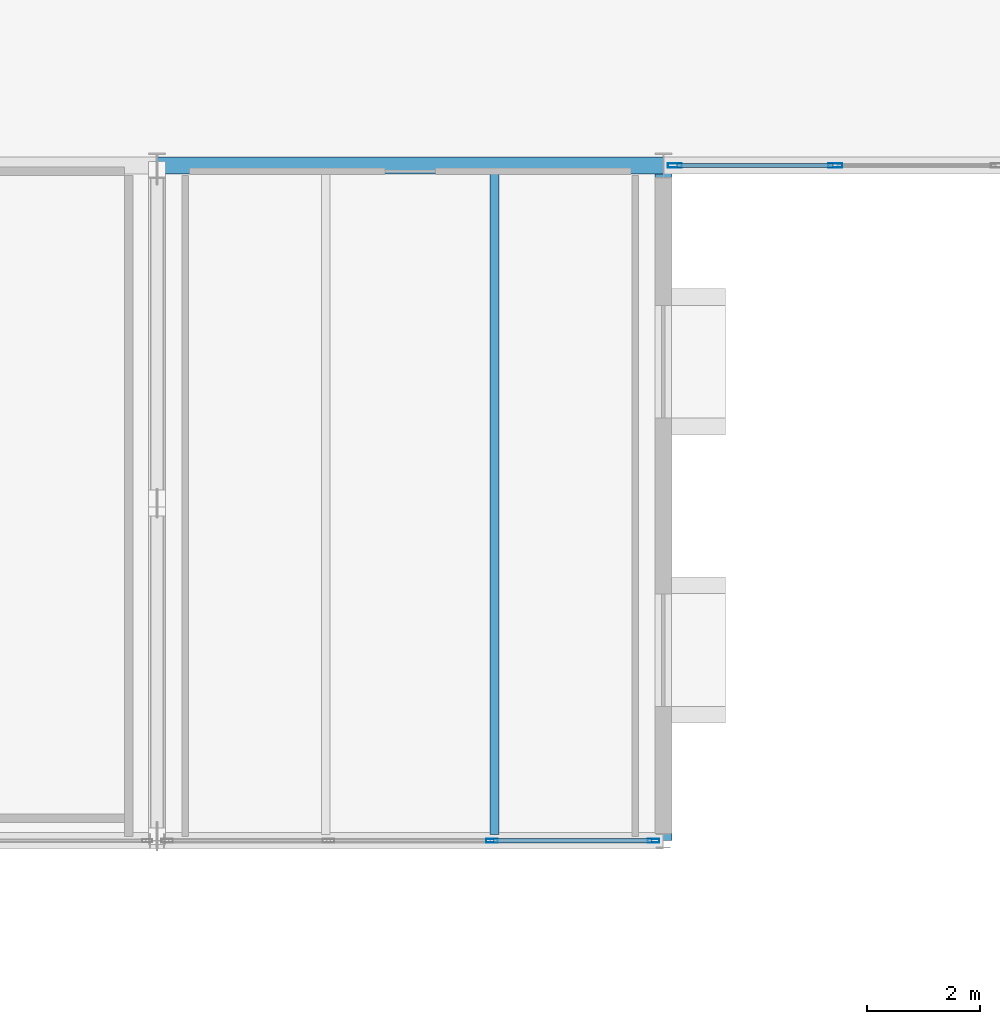
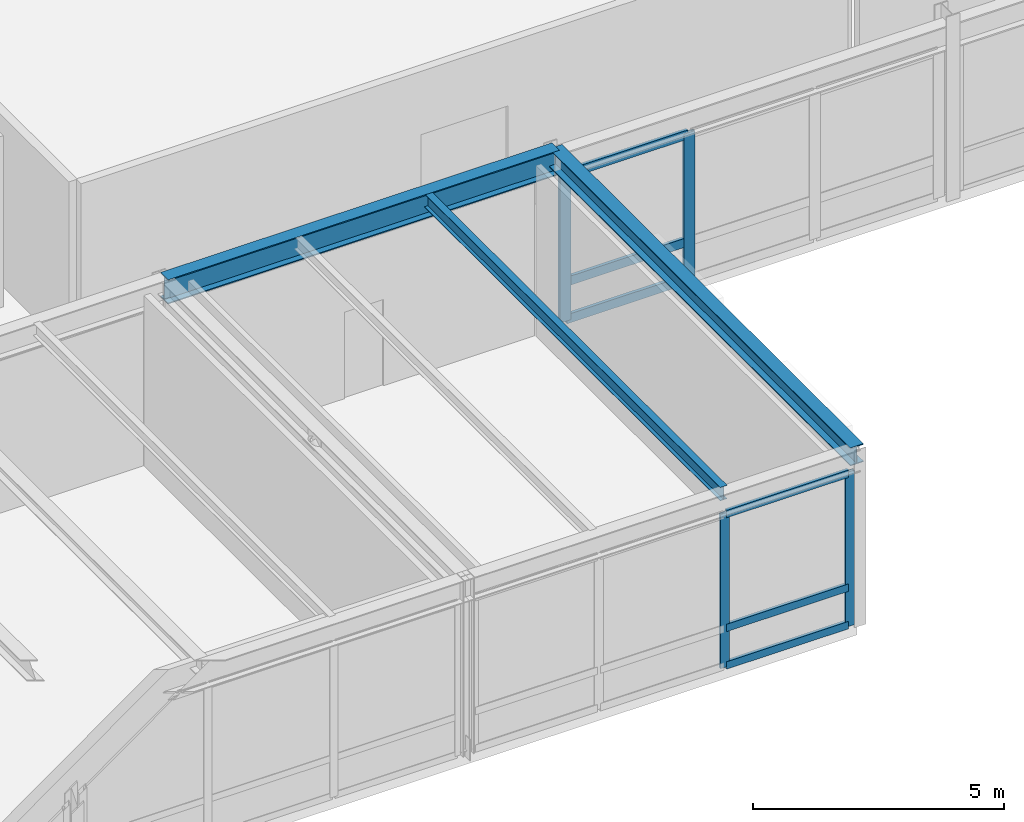
# One storey, part 28 of 67: 10 members, 3 beams, 2 elements without a shape of their own.
"""IFC4 building model written with IfcOpenShell, lengths in metres."""

import ifcopenshell
import ifcopenshell.guid

model = None  # the IFC model being written
_history = None  # IfcOwnerHistory: only IFC2X3 demands one
_inside = {}  # id of a spatial element -> (the spatial element, [elements in it])
_under = {}  # id of a project, library or spatial element -> (it, [spatial elements below it])
_declared = {}  # id of a project -> (the project, [libraries it declares])
_typed = {}  # id of a type object -> (the type object, [elements of that type])
_made_of = {}  # id of a material, layer set ... -> (it, [elements and type objects made of it])


def new_model(schema):
    """Start an empty IFC model of exactly this schema.

    Asked for "IFC4X3", IfcOpenShell would pick the latest addendum, in which some entities
    have other attributes; the version numbers below select the first issue.
    IFC2X3 requires an IfcOwnerHistory on every rooted entity: one is made here for all.
    """
    global model, _history
    if schema == "IFC4X3":
        model = ifcopenshell.file(schema_version=(4, 3, 0, 0))
    else:
        model = ifcopenshell.file(schema=schema)
    _inside.clear()
    _under.clear()
    _declared.clear()
    _typed.clear()
    _made_of.clear()
    _history = None
    if model.schema == "IFC2X3":
        org = make("IfcOrganization", Name="unknown")
        user = make(
            "IfcPersonAndOrganization",
            ThePerson=make("IfcPerson", FamilyName="unknown"),
            TheOrganization=org,
        )
        app = make(
            "IfcApplication",
            ApplicationDeveloper=org,
            Version="unknown",
            ApplicationFullName="unknown",
            ApplicationIdentifier="unknown",
        )
        _history = make(
            "IfcOwnerHistory",
            OwningUser=user,
            OwningApplication=app,
            ChangeAction="ADDED",
            CreationDate=0,
        )
    return model


def make(cls, **values):
    """One entity of the class cls with the attributes given. An attribute that is None is left unset."""
    return model.create_entity(
        cls, **{name: value for name, value in values.items() if value is not None}
    )


def rooted(cls, **values):
    """An entity with a GlobalId (a new one), such as an element, a storey or a relation."""
    return make(cls, GlobalId=ifcopenshell.guid.new(), OwnerHistory=_history, **values)


def si_unit(unit_type, name, prefix=None):
    """IfcSIUnit, for example si_unit("LENGTHUNIT", "METRE", prefix="MILLI")."""
    return make("IfcSIUnit", UnitType=unit_type, Prefix=prefix, Name=name)


def assignment(units):
    """IfcUnitAssignment: the units of a project."""
    return None if units is None else make("IfcUnitAssignment", Units=units)


def point(xyz):
    """IfcCartesianPoint."""
    return None if xyz is None else make("IfcCartesianPoint", Coordinates=xyz)


def direction(xyz):
    """IfcDirection."""
    return None if xyz is None else make("IfcDirection", DirectionRatios=xyz)


def frame(location, z_axis=None, x_axis=None):
    """IfcAxis2Placement3D, a coordinate frame: its origin and axes. An axis left out is left unset."""
    return make(
        "IfcAxis2Placement3D",
        Location=point(location),
        Axis=direction(z_axis),
        RefDirection=direction(x_axis),
    )


def frame_2d(location, x_axis=None):
    """IfcAxis2Placement2D, a coordinate frame in the plane: its origin and x axis."""
    return make(
        "IfcAxis2Placement2D", Location=point(location), RefDirection=direction(x_axis)
    )


def origin():
    """The frame at (0, 0, 0) with its axes left unset."""
    return frame((0.0, 0.0, 0.0))


def origin_2d():
    """The frame at (0, 0) in the plane with its x axis left unset."""
    return frame_2d((0.0, 0.0))


def place(relative_to, where):
    """IfcLocalPlacement: puts the frame where relative to a parent placement (None: the world)."""
    return make(
        "IfcLocalPlacement", PlacementRelTo=relative_to, RelativePlacement=where
    )


def context(
    kind, dimensions, precision=None, world=None, true_north=None, identifier=None
):
    """IfcGeometricRepresentationContext, for example the 3D "Model" context."""
    return make(
        "IfcGeometricRepresentationContext",
        ContextIdentifier=identifier,
        ContextType=kind,
        CoordinateSpaceDimension=dimensions,
        Precision=precision,
        WorldCoordinateSystem=world,
        TrueNorth=true_north,
    )


def subcontext(parent, identifier, kind, view, scale=None):
    """IfcGeometricRepresentationSubContext, for example "Body" below "Model"."""
    return make(
        "IfcGeometricRepresentationSubContext",
        ContextIdentifier=identifier,
        ContextType=kind,
        ParentContext=parent,
        TargetScale=scale,
        TargetView=view,
    )


def project(units=None, contexts=None):
    """IfcProject with its units and contexts."""
    return rooted(
        "IfcProject",
        Name="project",
        RepresentationContexts=contexts,
        UnitsInContext=assignment(units),
    )


def spatial(cls, under=None, at=None, **own):
    """A site, building, storey or space (cls), placed at a placement, below another one or the project."""
    s = rooted(cls, ObjectPlacement=at, **own)
    if under is not None:
        _under.setdefault(under.id(), (under, []))[1].append(s)
    return s


def profile(cls, at=None, kind="AREA", **sizes):
    """A parametric profile (cls). Its sizes go by their IFC names, for example OverallWidth=200.0."""
    return make(cls, ProfileType=kind, Position=at, **sizes)


def hollow_rectangle(**sizes):
    """IfcRectangleHollowProfileDef."""
    return profile("IfcRectangleHollowProfileDef", **sizes)


def i_section(**sizes):
    """IfcIShapeProfileDef."""
    return profile("IfcIShapeProfileDef", **sizes)


def extrude(swept, where, along, depth):
    """IfcExtrudedAreaSolid: the profile swept, set in the frame where, extruded along a direction by depth."""
    return make(
        "IfcExtrudedAreaSolid",
        SweptArea=swept,
        Position=where,
        ExtrudedDirection=direction(along),
        Depth=depth,
    )


def shape(context_of_items, identifier, shape_type, items):
    """IfcShapeRepresentation: the items that make up one representation, for example the "Body"."""
    return make(
        "IfcShapeRepresentation",
        ContextOfItems=context_of_items,
        RepresentationIdentifier=identifier,
        RepresentationType=shape_type,
        Items=items,
    )


def material(Name=None, Category=None):
    """IfcMaterial."""
    return make("IfcMaterial", Name=Name, Category=Category)


def layer(
    of_material, thickness, ventilated=None, Name=None, Category=None, Priority=None
):
    """IfcMaterialLayer: one layer of a wall or slab, of a material (None: an air gap)."""
    return make(
        "IfcMaterialLayer",
        Material=of_material,
        LayerThickness=thickness,
        IsVentilated=ventilated,
        Name=Name,
        Category=Category,
        Priority=Priority,
    )


def layer_set(layers, Name=None):
    """IfcMaterialLayerSet."""
    return make("IfcMaterialLayerSet", MaterialLayers=layers, LayerSetName=Name)


def material_profile(
    of_material, cross_section, Name=None, Category=None, Priority=None
):
    """IfcMaterialProfile: a cross section and its material."""
    return make(
        "IfcMaterialProfile",
        Name=Name,
        Material=of_material,
        Profile=cross_section,
        Priority=Priority,
        Category=Category,
    )


def profile_set(profiles, Name=None, composite=None):
    """IfcMaterialProfileSet."""
    return make(
        "IfcMaterialProfileSet",
        Name=Name,
        MaterialProfiles=profiles,
        CompositeProfile=composite,
    )


def made_of(thing, what):
    """Note that an element or type object is made of a material, layer set ...; save() writes the relation."""
    if what is not None:
        _made_of.setdefault(what.id(), (what, []))[1].append(thing)
    return thing


def type_object(cls, material=None, **own):
    """A type object (cls), such as IfcWallType, which elements share."""
    return made_of(rooted(cls, **own), material)


def element(
    cls,
    number,
    at=None,
    inside=None,
    cuts=None,
    type_object=None,
    material=None,
    context=None,
    identifier="Body",
    shape_type=None,
    held_by="IfcProductDefinitionShape",
    body=None,
    shapes=None,
    **own,
):
    """One element of the class cls, such as IfcWall. Its Tag is "e" and its number.

    at: its placement. inside: the storey or other place that contains it. cuts: it is an
    opening in that element (IfcRelVoidsElement). A single representation is given by context,
    identifier, shape_type and body (its items); several are given by shapes. held_by: the class
    of the entity that holds the representations. save() writes the other relations.
    """
    e = rooted(cls, Tag="e%d" % number, ObjectPlacement=at, **own)
    if body is not None:
        shapes = [shape(context, identifier, shape_type, body)]
    if shapes is not None:
        e.Representation = make(held_by, Representations=shapes)
    if inside is not None:
        _inside.setdefault(inside.id(), (inside, []))[1].append(e)
    if cuts is not None:
        rooted(
            "IfcRelVoidsElement", RelatingBuildingElement=cuts, RelatedOpeningElement=e
        )
    if type_object is not None:
        _typed.setdefault(type_object.id(), (type_object, []))[1].append(e)
    return made_of(e, material)


def aggregate(whole, parts):
    """IfcRelAggregates: a whole, such as a stair, and the parts it consists of."""
    return rooted("IfcRelAggregates", RelatingObject=whole, RelatedObjects=parts)


def save(model, path):
    """Write the relations noted so far, then the file.

    IfcRelAggregates (storeys below a building ...), IfcRelContainedInSpatialStructure (elements
    in a storey), IfcRelDefinesByType, IfcRelAssociatesMaterial and IfcRelDeclares: one each for
    every whole, place, type object, material and project.
    """
    for whole, parts in _under.values():
        aggregate(whole, parts)
    for where, things in _inside.values():
        rooted(
            "IfcRelContainedInSpatialStructure",
            RelatedElements=things,
            RelatingStructure=where,
        )
    for kind, things in _typed.values():
        rooted("IfcRelDefinesByType", RelatedObjects=things, RelatingType=kind)
    for what, things in _made_of.values():
        rooted("IfcRelAssociatesMaterial", RelatedObjects=things, RelatingMaterial=what)
    for by, libraries in _declared.values():
        rooted("IfcRelDeclares", RelatingContext=by, RelatedDefinitions=libraries)
    model.write(path)


model = new_model("IFC4")

# Units and contexts
model_context = context("Model", 3, precision=1e-05, world=origin(), true_north=direction((0.0, 1.0)))
body_context = subcontext(model_context, "Body", "Model", "MODEL_VIEW")
ifc_project = project(units=[si_unit("LENGTHUNIT", "METRE"), si_unit("AREAUNIT", "SQUARE_METRE"), si_unit("VOLUMEUNIT", "CUBIC_METRE"), si_unit("PLANEANGLEUNIT", "RADIAN"), si_unit("MASSUNIT", "GRAM", prefix="KILO")], contexts=[model_context])

# Site, building, storey
site_placement = place(None, origin())
site = spatial("IfcSite", under=ifc_project, at=site_placement, CompositionType="ELEMENT")
building_placement = place(site_placement, origin())
building = spatial("IfcBuilding", under=site, at=building_placement, Name="Montelvaro Courts of Justice", CompositionType="ELEMENT")
storey_placement = place(building_placement, frame((0.0, 0.0, 18.89990234375)))
storey = spatial("IfcBuildingStorey", under=building, at=storey_placement, Name="L04", CompositionType="ELEMENT", Elevation=18.89990234375)

# Beams
ifc_material_1 = material(Name="Steel S355", Category="steel")
ifc_material_profile_1 = material_profile(ifc_material_1, i_section(OverallWidth=0.300048828125, OverallDepth=0.43994140625, WebThickness=0.011474609375, FlangeThickness=0.02099609375, at=origin_2d()), Name="HEA 450")
ifc_profile_set_1 = profile_set([ifc_material_profile_1], Name="Steel S355")
beam_type_1 = type_object("IfcBeamType", Name="Beam_HEA450", PredefinedType="USERDEFINED", material=ifc_profile_set_1)
beam_1_placement = place(storey_placement, frame((135.0, 66.0, 4.080078125), z_axis=(0.0, 1.0, 0.0), x_axis=(-1.0, 0.0, 0.0)))
element("IfcBeam", 1, at=beam_1_placement, inside=storey, type_object=beam_type_1, Name="Beam B-18 L04", ObjectType="GIRDER", PredefinedType="USERDEFINED", context=body_context, shape_type="SweptSolid", body=[
    extrude(i_section(OverallWidth=0.300048828125, OverallDepth=0.43994140625, WebThickness=0.011474609375, FlangeThickness=0.02099609375, at=origin_2d()), origin(), (0.0, 0.0, 1.0), 12.0),
])
ifc_material_profile_2 = material_profile(ifc_material_1, i_section(OverallWidth=0.300048828125, OverallDepth=0.590087890625, WebThickness=0.012939453125, FlangeThickness=0.02490234375, at=origin_2d()), Name="HEA 600")
ifc_profile_set_2 = profile_set([ifc_material_profile_2], Name="Steel S355")
beam_type_2 = type_object("IfcBeamType", Name="Beam_HEA600", PredefinedType="USERDEFINED", material=ifc_profile_set_2)
beam_2_placement = place(storey_placement, frame((126.0, 78.0, 4.005126953125), z_axis=(1.0, 0.0, 0.0), x_axis=(0.0, 1.0, 0.0)))
element("IfcBeam", 2, at=beam_2_placement, inside=storey, type_object=beam_type_2, Name="Beam B-21 L04", ObjectType="GIRDER", PredefinedType="USERDEFINED", context=body_context, shape_type="SweptSolid", body=[
    extrude(i_section(OverallWidth=0.300048828125, OverallDepth=0.590087890625, WebThickness=0.012939453125, FlangeThickness=0.02490234375, at=origin_2d()), origin(), (0.0, 0.0, 1.0), 9.0),
])
ifc_material_profile_3 = material_profile(ifc_material_1, i_section(OverallWidth=0.159912109375, OverallDepth=0.330078125, WebThickness=0.007568359375, FlangeThickness=0.011474609375, at=origin_2d()), Name="IPE 330")
ifc_profile_set_3 = profile_set([ifc_material_profile_3], Name="Steel S355")
beam_type_3 = type_object("IfcBeamType", Name="Beam_IPE330", PredefinedType="BEAM", material=ifc_profile_set_3)
beam_3_placement = place(storey_placement, frame((132.0, 66.110107421875, 4.135009765625), z_axis=(0.0, 1.0, 0.0), x_axis=(-1.0, 0.0, 0.0)))
element("IfcBeam", 3, at=beam_3_placement, inside=storey, type_object=beam_type_3, Name="Beam B-06 L04", PredefinedType="BEAM", context=body_context, shape_type="SweptSolid", body=[
    extrude(i_section(OverallWidth=0.159912109375, OverallDepth=0.330078125, WebThickness=0.007568359375, FlangeThickness=0.011474609375, at=origin_2d()), origin(), (0.0, 0.0, 1.0), 11.77978515625),
])

# Curtain wall, members
ifc_material_2 = material(Name="Anodised aluminium EN AW-6063", Category="aluminium")
ifc_layer_1 = layer(ifc_material_2, 0.159912109375)
ifc_layer_set_1 = layer_set([ifc_layer_1], Name="Anodised aluminium EN AW-6063")
curtain_wall_type_1 = type_object("IfcCurtainWallType", Name="CurtainWall_18_868x418", PredefinedType="USERDEFINED", material=ifc_layer_set_1)
curtain_wall_1_placement = place(storey_placement, origin())
curtain_wall_1 = element("IfcCurtainWall", 4, at=curtain_wall_1_placement, inside=storey, type_object=curtain_wall_type_1, Name="Curtain Wall CW-18 (L04)", ObjectType="CURTAIN WALL", PredefinedType="USERDEFINED")
ifc_material_profile_4 = material_profile(ifc_material_2, hollow_rectangle(XDim=0.06494140625, YDim=0.2099609375, WallThickness=0.0048828125, at=origin_2d()), Name="ALU-M 65x210")
ifc_profile_set_4 = profile_set([ifc_material_profile_4], Name="Anodised aluminium EN AW-6063")
member_type_1 = type_object("IfcMemberType", Name="CurtainWall_Mullion_65x210", PredefinedType="MULLION", material=ifc_profile_set_4)
member_1_placement = place(storey_placement, frame((131.95166015625, 66.0, 0.0), z_axis=(0.0, 0.0, 1.0), x_axis=(0.0, 1.0, 0.0)))
member_1 = element("IfcMember", 5, at=member_1_placement, type_object=member_type_1, Name="CW-18 mullion 3", PredefinedType="MULLION", context=body_context, shape_type="SweptSolid", body=[
    extrude(hollow_rectangle(XDim=0.06494140625, YDim=0.2099609375, WallThickness=0.0048828125, at=origin_2d()), origin(), (0.0, 0.0, 1.0), 3.755126953125),
])
member_2_placement = place(storey_placement, frame((134.822509765625, 66.0, 0.0), z_axis=(0.0, 0.0, 1.0), x_axis=(0.0, 1.0, 0.0)))
member_2 = element("IfcMember", 6, at=member_2_placement, type_object=member_type_1, Name="CW-18 mullion 4", PredefinedType="MULLION", context=body_context, shape_type="SweptSolid", body=[
    extrude(hollow_rectangle(XDim=0.06494140625, YDim=0.2099609375, WallThickness=0.0048828125, at=origin_2d()), origin(), (0.0, 0.0, 1.0), 3.755126953125),
])

ifc_layer_2 = layer(ifc_material_2, 0.159912109375)
ifc_layer_set_2 = layer_set([ifc_layer_2], Name="Anodised aluminium EN AW-6063")
curtain_wall_type_2 = type_object("IfcCurtainWallType", Name="CurtainWall_14_867x418", PredefinedType="USERDEFINED", material=ifc_layer_set_2)
curtain_wall_2_placement = place(storey_placement, origin())
curtain_wall_2 = element("IfcCurtainWall", 7, at=curtain_wall_2_placement, inside=storey, type_object=curtain_wall_type_2, Name="Curtain Wall CW-14 (L04)", ObjectType="CURTAIN WALL", PredefinedType="USERDEFINED")
ifc_material_profile_5 = material_profile(ifc_material_2, hollow_rectangle(XDim=0.074951171875, YDim=0.25, WallThickness=0.005615234375, at=origin_2d()), Name="ALU-M 75x250")
ifc_profile_set_5 = profile_set([ifc_material_profile_5], Name="Anodised aluminium EN AW-6063")
member_type_2 = type_object("IfcMemberType", Name="CurtainWall_Mullion_75x250", PredefinedType="MULLION", material=ifc_profile_set_5)
member_3_placement = place(storey_placement, frame((135.202392578125, 78.0, 0.0), z_axis=(0.0, 0.0, 1.0), x_axis=(0.0, 1.0, 0.0)))
member_3 = element("IfcMember", 8, at=member_3_placement, type_object=member_type_2, Name="CW-14 mullion 1", PredefinedType="MULLION", context=body_context, shape_type="SweptSolid", body=[
    extrude(hollow_rectangle(XDim=0.074951171875, YDim=0.25, WallThickness=0.005615234375, at=origin_2d()), origin(), (0.0, 0.0, 1.0), 3.59521484375),
])
member_4_placement = place(storey_placement, frame((138.054931640625, 78.0, 0.0), z_axis=(0.0, 0.0, 1.0), x_axis=(0.0, 1.0, 0.0)))
member_4 = element("IfcMember", 9, at=member_4_placement, type_object=member_type_2, Name="CW-14 mullion 2", PredefinedType="MULLION", context=body_context, shape_type="SweptSolid", body=[
    extrude(hollow_rectangle(XDim=0.074951171875, YDim=0.25, WallThickness=0.005615234375, at=origin_2d()), origin(), (0.0, 0.0, 1.0), 3.59521484375),
])

# Member
ifc_material_profile_6 = material_profile(ifc_material_2, hollow_rectangle(XDim=0.074951171875, YDim=0.179931640625, WallThickness=0.0048828125, at=origin_2d()), Name="ALU-T 75x180")
ifc_profile_set_6 = profile_set([ifc_material_profile_6], Name="Anodised aluminium EN AW-6063")
member_type_3 = type_object("IfcMemberType", Name="CurtainWall_Transom_75x180", PredefinedType="USERDEFINED", material=ifc_profile_set_6)
member_5_placement = place(storey_placement, frame((131.984130859375, 66.0, 0.03759765625), z_axis=(1.0, 0.0, 0.0), x_axis=(0.0, 1.0, 0.0)))
member_5 = element("IfcMember", 10, at=member_5_placement, type_object=member_type_3, Name="CW-18 transom 3.1", ObjectType="TRANSOM", PredefinedType="USERDEFINED", context=body_context, shape_type="SweptSolid", body=[
    extrude(hollow_rectangle(XDim=0.074951171875, YDim=0.179931640625, WallThickness=0.0048828125, at=origin_2d()), origin(), (0.0, 0.0, 1.0), 2.805908203125),
])

member_6_placement = place(storey_placement, frame((131.984130859375, 66.0, 0.9501953125), z_axis=(1.0, 0.0, 0.0), x_axis=(0.0, 1.0, 0.0)))
member_6 = element("IfcMember", 11, at=member_6_placement, type_object=member_type_3, Name="CW-18 transom 3.2", ObjectType="TRANSOM", PredefinedType="USERDEFINED", context=body_context, shape_type="SweptSolid", body=[
    extrude(hollow_rectangle(XDim=0.074951171875, YDim=0.179931640625, WallThickness=0.0048828125, at=origin_2d()), origin(), (0.0, 0.0, 1.0), 2.805908203125),
])

member_7_placement = place(storey_placement, frame((131.984130859375, 66.0, 3.717529296875), z_axis=(1.0, 0.0, 0.0), x_axis=(0.0, 1.0, 0.0)))
member_7 = element("IfcMember", 12, at=member_7_placement, type_object=member_type_3, Name="CW-18 transom 3.3", ObjectType="TRANSOM", PredefinedType="USERDEFINED", context=body_context, shape_type="SweptSolid", body=[
    extrude(hollow_rectangle(XDim=0.074951171875, YDim=0.179931640625, WallThickness=0.0048828125, at=origin_2d()), origin(), (0.0, 0.0, 1.0), 2.805908203125),
])

aggregate(curtain_wall_1, [member_1, member_2, member_5, member_6, member_7])

ifc_material_profile_7 = material_profile(ifc_material_2, hollow_rectangle(XDim=0.074951171875, YDim=0.219970703125, WallThickness=0.005615234375, at=origin_2d()), Name="ALU-T 75x220")
ifc_profile_set_7 = profile_set([ifc_material_profile_7], Name="Anodised aluminium EN AW-6063")
member_type_4 = type_object("IfcMemberType", Name="CurtainWall_Transom_75x220", PredefinedType="USERDEFINED", material=ifc_profile_set_7)
member_8_placement = place(storey_placement, frame((135.239990234375, 78.0, 0.03759765625), z_axis=(1.0, 0.0, 0.0), x_axis=(0.0, 1.0, 0.0)))
member_8 = element("IfcMember", 13, at=member_8_placement, type_object=member_type_4, Name="CW-14 transom 1.1", ObjectType="TRANSOM", PredefinedType="USERDEFINED", context=body_context, shape_type="SweptSolid", body=[
    extrude(hollow_rectangle(XDim=0.074951171875, YDim=0.219970703125, WallThickness=0.005615234375, at=origin_2d()), origin(), (0.0, 0.0, 1.0), 2.777587890625),
])

member_9_placement = place(storey_placement, frame((135.239990234375, 78.0, 0.9501953125), z_axis=(1.0, 0.0, 0.0), x_axis=(0.0, 1.0, 0.0)))
member_9 = element("IfcMember", 14, at=member_9_placement, type_object=member_type_4, Name="CW-14 transom 1.2", ObjectType="TRANSOM", PredefinedType="USERDEFINED", context=body_context, shape_type="SweptSolid", body=[
    extrude(hollow_rectangle(XDim=0.074951171875, YDim=0.219970703125, WallThickness=0.005615234375, at=origin_2d()), origin(), (0.0, 0.0, 1.0), 2.777587890625),
])

member_10_placement = place(storey_placement, frame((135.239990234375, 78.0, 3.5576171875), z_axis=(1.0, 0.0, 0.0), x_axis=(0.0, 1.0, 0.0)))
member_10 = element("IfcMember", 15, at=member_10_placement, type_object=member_type_4, Name="CW-14 transom 1.3", ObjectType="TRANSOM", PredefinedType="USERDEFINED", context=body_context, shape_type="SweptSolid", body=[
    extrude(hollow_rectangle(XDim=0.074951171875, YDim=0.219970703125, WallThickness=0.005615234375, at=origin_2d()), origin(), (0.0, 0.0, 1.0), 2.777587890625),
])

aggregate(curtain_wall_2, [member_3, member_4, member_8, member_9, member_10])

save(model, "model.ifc")
